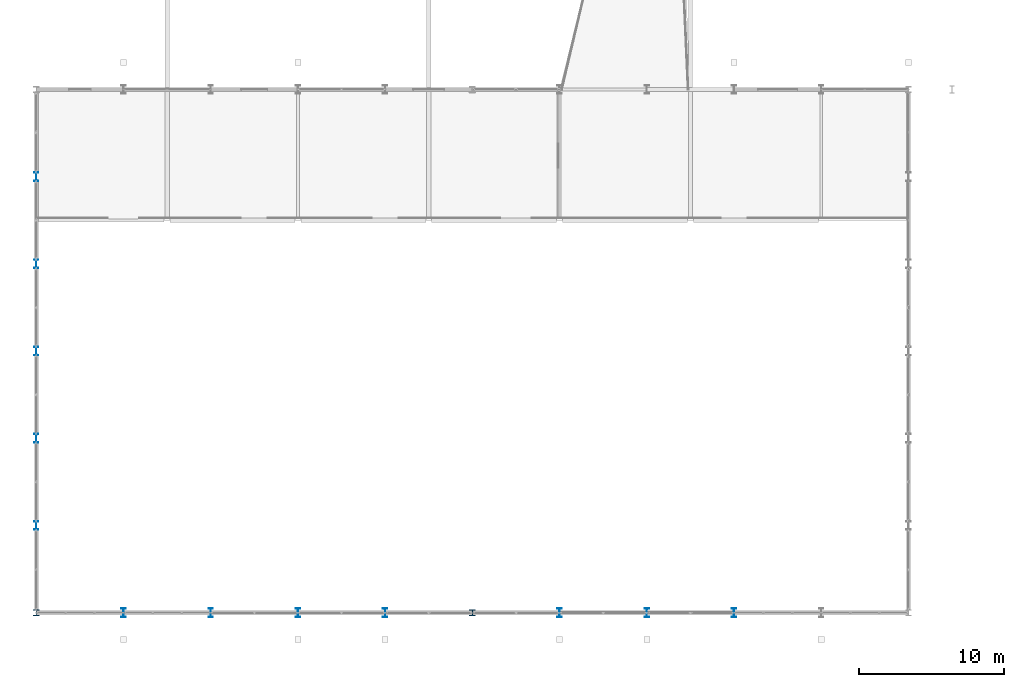
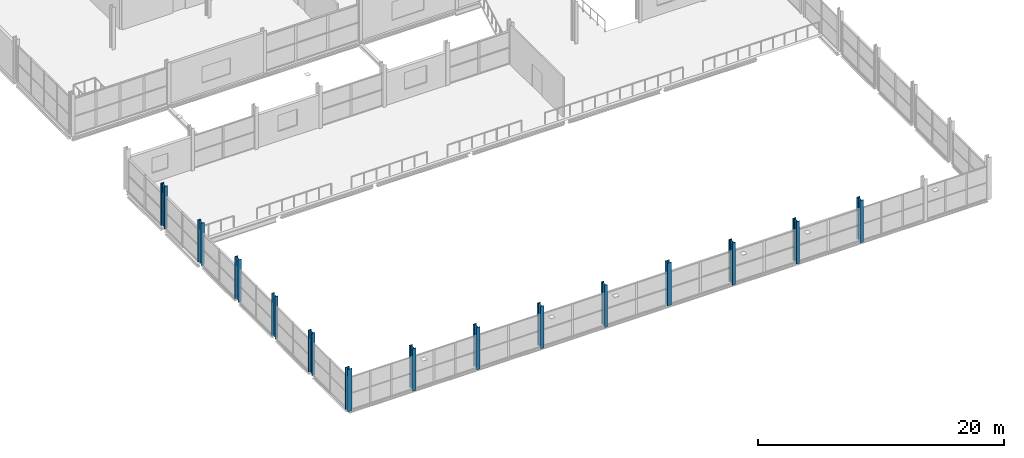
# One storey, part 1 of 135: 14 columns.
"""IFC4 building model written with IfcOpenShell, lengths in metres."""

from ifc_helpers import new_model, si_unit, direction, frame, origin, origin_with_axes, origin_2d, place, context, subcontext, project, spatial, i_section, extrude, material, material_profile, profile_set, type_object, element, save


model = new_model("IFC4")

# Units and contexts
model_context = context("Model", 3, precision=1e-05, world=origin(), true_north=direction((0.0, 1.0)))
body_context = subcontext(model_context, "Body", "Model", "MODEL_VIEW")
ifc_project = project(units=[si_unit("LENGTHUNIT", "METRE"), si_unit("AREAUNIT", "SQUARE_METRE"), si_unit("VOLUMEUNIT", "CUBIC_METRE"), si_unit("PLANEANGLEUNIT", "RADIAN"), si_unit("MASSUNIT", "GRAM", prefix="KILO")], contexts=[model_context])

# Site, building, storey
site_placement = place(None, origin())
site = spatial("IfcSite", under=ifc_project, at=site_placement, CompositionType="ELEMENT")
building_placement = place(site_placement, origin())
building = spatial("IfcBuilding", under=site, at=building_placement, Name="Deido Ridge Mobility Hub", CompositionType="ELEMENT")
storey_placement = place(building_placement, frame((0.0, 0.0, 4.199951171875)))
storey = spatial("IfcBuildingStorey", under=building, at=storey_placement, Name="L01", CompositionType="ELEMENT", Elevation=4.199951171875)

# Columns
ifc_material = material(Name="Steel S355J2 EN 10025-2", Category="steel")
ifc_material_profile_1 = material_profile(ifc_material, i_section(OverallWidth=0.406005859375, OverallDepth=0.416015625, WebThickness=0.02392578125, FlangeThickness=0.0390625, FilletRadius=0.014892578125, at=origin_2d()), Name="HD 400x382")
ifc_profile_set_1 = profile_set([ifc_material_profile_1], Name="Steel S355J2 EN 10025-2")
column_type_1 = type_object("IfcColumnType", Name="COL-HD400-382", PredefinedType="COLUMN", material=ifc_profile_set_1)
column_1_placement = place(storey_placement, origin_with_axes())
element("IfcColumn", 1, at=column_1_placement, inside=storey, type_object=column_type_1, Name="Structural column MC1", PredefinedType="COLUMN", context=body_context, shape_type="SweptSolid", body=[
    extrude(i_section(OverallWidth=0.406005859375, OverallDepth=0.416015625, WebThickness=0.02392578125, FlangeThickness=0.0390625, FilletRadius=0.014892578125, at=origin_2d()), origin(), (0.0, 0.0, 1.0), 4.199951171875),
])
column_2_placement = place(storey_placement, frame((30.0, 0.0, 0.0), z_axis=(0.0, 0.0, 1.0), x_axis=(1.0, 0.0, 0.0)))
element("IfcColumn", 2, at=column_2_placement, inside=storey, type_object=column_type_1, Name="Structural column MC5", PredefinedType="COLUMN", context=body_context, shape_type="SweptSolid", body=[
    extrude(i_section(OverallWidth=0.406005859375, OverallDepth=0.416015625, WebThickness=0.02392578125, FlangeThickness=0.0390625, FilletRadius=0.014892578125, at=origin_2d()), origin(), (0.0, 0.0, 1.0), 4.241943359375),
])
ifc_material_profile_2 = material_profile(ifc_material, i_section(OverallWidth=0.300048828125, OverallDepth=0.60009765625, WebThickness=0.015380859375, FlangeThickness=0.030029296875, FilletRadius=0.027099609375, at=origin_2d()), Name="HEB 600")
ifc_profile_set_2 = profile_set([ifc_material_profile_2], Name="Steel S355J2 EN 10025-2")
column_type_2 = type_object("IfcColumnType", Name="COL-HEB600", PredefinedType="COLUMN", material=ifc_profile_set_2)
for number, where, z_axis, x_axis, name in (
    (3, (6.0, 0.0, 0.0), (0.0, 0.0, 1.0), (1.0, 0.0, 0.0), "Structural column C4"),
    (4, (12.0, 0.0, 0.0), (0.0, 0.0, 1.0), (1.0, 0.0, 0.0), "Structural column C4"),
    (5, (18.0, 0.0, 0.0), (0.0, 0.0, 1.0), (1.0, 0.0, 0.0), "Structural column C4"),
    (6, (24.0, 0.0, 0.0), (0.0, 0.0, 1.0), (1.0, 0.0, 0.0), "Structural column C4"),
    (7, (36.0, 0.0, 0.0), (0.0, 0.0, 1.0), (1.0, 0.0, 0.0), "Structural column C4"),
    (8, (42.0, 0.0, 0.0), (0.0, 0.0, 1.0), (1.0, 0.0, 0.0), "Structural column C4"),
    (9, (48.0, 0.0, 0.0), (0.0, 0.0, 1.0), (1.0, 0.0, 0.0), "Structural column C4"),
    (10, (0.0, 6.0, 0.0), (0.0, 0.0, 1.0), (1.0, 0.0, 0.0), "Structural column C4"),
    (11, (0.0, 12.0, 0.0), (0.0, 0.0, 1.0), (1.0, 0.0, 0.0), "Structural column C4"),
    (12, (0.0, 18.0, 0.0), (0.0, 0.0, 1.0), (1.0, 0.0, 0.0), "Structural column C4"),
    (13, (0.0, 24.0, 0.0), (0.0, 0.0, 1.0), (1.0, 0.0, 0.0), "Structural column C4"),
    (14, (0.0, 30.0, 0.0), (0.0, 0.0, 1.0), (1.0, 0.0, 0.0), "Structural column C4"),
):
    element("IfcColumn", number, at=place(storey_placement, frame(where, z_axis=z_axis, x_axis=x_axis)), inside=storey, type_object=column_type_2, Name=name, PredefinedType="COLUMN", context=body_context, shape_type="SweptSolid", body=[
        extrude(i_section(OverallWidth=0.300048828125, OverallDepth=0.60009765625, WebThickness=0.015380859375, FlangeThickness=0.030029296875, FilletRadius=0.027099609375, at=origin_2d()), origin(), (0.0, 0.0, 1.0), 4.199951171875),
    ])

save(model, "model.ifc")
